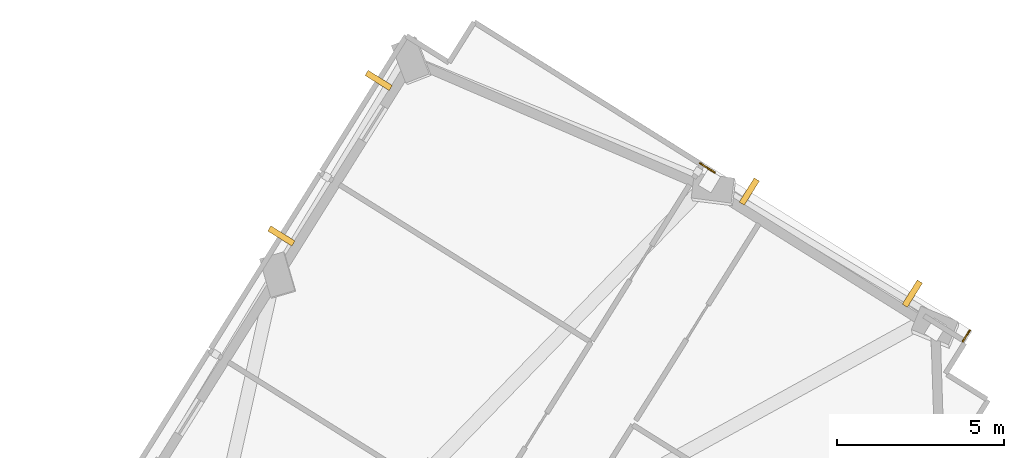
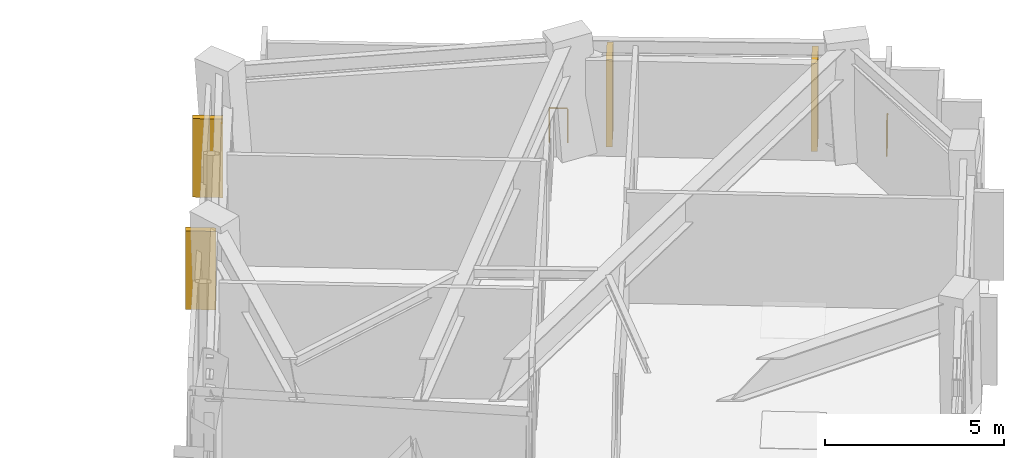
# One storey, part 12 of 12: 4 shading devices, 2 railings.
"""IFC4 building model written with IfcOpenShell, lengths in metres."""

import ifcopenshell
import ifcopenshell.guid

model = None  # the IFC model being written
_history = None  # IfcOwnerHistory: only IFC2X3 demands one
_inside = {}  # id of a spatial element -> (the spatial element, [elements in it])
_under = {}  # id of a project, library or spatial element -> (it, [spatial elements below it])
_declared = {}  # id of a project -> (the project, [libraries it declares])
_typed = {}  # id of a type object -> (the type object, [elements of that type])
_made_of = {}  # id of a material, layer set ... -> (it, [elements and type objects made of it])


def new_model(schema):
    """Start an empty IFC model of exactly this schema.

    Asked for "IFC4X3", IfcOpenShell would pick the latest addendum, in which some entities
    have other attributes; the version numbers below select the first issue.
    IFC2X3 requires an IfcOwnerHistory on every rooted entity: one is made here for all.
    """
    global model, _history
    if schema == "IFC4X3":
        model = ifcopenshell.file(schema_version=(4, 3, 0, 0))
    else:
        model = ifcopenshell.file(schema=schema)
    _inside.clear()
    _under.clear()
    _declared.clear()
    _typed.clear()
    _made_of.clear()
    _history = None
    if model.schema == "IFC2X3":
        org = make("IfcOrganization", Name="unknown")
        user = make(
            "IfcPersonAndOrganization",
            ThePerson=make("IfcPerson", FamilyName="unknown"),
            TheOrganization=org,
        )
        app = make(
            "IfcApplication",
            ApplicationDeveloper=org,
            Version="unknown",
            ApplicationFullName="unknown",
            ApplicationIdentifier="unknown",
        )
        _history = make(
            "IfcOwnerHistory",
            OwningUser=user,
            OwningApplication=app,
            ChangeAction="ADDED",
            CreationDate=0,
        )
    return model


def make(cls, **values):
    """One entity of the class cls with the attributes given. An attribute that is None is left unset."""
    return model.create_entity(
        cls, **{name: value for name, value in values.items() if value is not None}
    )


def rooted(cls, **values):
    """An entity with a GlobalId (a new one), such as an element, a storey or a relation."""
    return make(cls, GlobalId=ifcopenshell.guid.new(), OwnerHistory=_history, **values)


def si_unit(unit_type, name, prefix=None):
    """IfcSIUnit, for example si_unit("LENGTHUNIT", "METRE", prefix="MILLI")."""
    return make("IfcSIUnit", UnitType=unit_type, Prefix=prefix, Name=name)


def assignment(units):
    """IfcUnitAssignment: the units of a project."""
    return None if units is None else make("IfcUnitAssignment", Units=units)


def point(xyz):
    """IfcCartesianPoint."""
    return None if xyz is None else make("IfcCartesianPoint", Coordinates=xyz)


def direction(xyz):
    """IfcDirection."""
    return None if xyz is None else make("IfcDirection", DirectionRatios=xyz)


def frame(location, z_axis=None, x_axis=None):
    """IfcAxis2Placement3D, a coordinate frame: its origin and axes. An axis left out is left unset."""
    return make(
        "IfcAxis2Placement3D",
        Location=point(location),
        Axis=direction(z_axis),
        RefDirection=direction(x_axis),
    )


def frame_2d(location, x_axis=None):
    """IfcAxis2Placement2D, a coordinate frame in the plane: its origin and x axis."""
    return make(
        "IfcAxis2Placement2D", Location=point(location), RefDirection=direction(x_axis)
    )


def origin():
    """The frame at (0, 0, 0) with its axes left unset."""
    return frame((0.0, 0.0, 0.0))


def origin_2d():
    """The frame at (0, 0) in the plane with its x axis left unset."""
    return frame_2d((0.0, 0.0))


def place(relative_to, where):
    """IfcLocalPlacement: puts the frame where relative to a parent placement (None: the world)."""
    return make(
        "IfcLocalPlacement", PlacementRelTo=relative_to, RelativePlacement=where
    )


def context(
    kind, dimensions, precision=None, world=None, true_north=None, identifier=None
):
    """IfcGeometricRepresentationContext, for example the 3D "Model" context."""
    return make(
        "IfcGeometricRepresentationContext",
        ContextIdentifier=identifier,
        ContextType=kind,
        CoordinateSpaceDimension=dimensions,
        Precision=precision,
        WorldCoordinateSystem=world,
        TrueNorth=true_north,
    )


def subcontext(parent, identifier, kind, view, scale=None):
    """IfcGeometricRepresentationSubContext, for example "Body" below "Model"."""
    return make(
        "IfcGeometricRepresentationSubContext",
        ContextIdentifier=identifier,
        ContextType=kind,
        ParentContext=parent,
        TargetScale=scale,
        TargetView=view,
    )


def project(units=None, contexts=None):
    """IfcProject with its units and contexts."""
    return rooted(
        "IfcProject",
        Name="project",
        RepresentationContexts=contexts,
        UnitsInContext=assignment(units),
    )


def spatial(cls, under=None, at=None, **own):
    """A site, building, storey or space (cls), placed at a placement, below another one or the project."""
    s = rooted(cls, ObjectPlacement=at, **own)
    if under is not None:
        _under.setdefault(under.id(), (under, []))[1].append(s)
    return s


def profile(cls, at=None, kind="AREA", **sizes):
    """A parametric profile (cls). Its sizes go by their IFC names, for example OverallWidth=200.0."""
    return make(cls, ProfileType=kind, Position=at, **sizes)


def rectangle(**sizes):
    """IfcRectangleProfileDef."""
    return profile("IfcRectangleProfileDef", **sizes)


def circle(**sizes):
    """IfcCircleProfileDef."""
    return profile("IfcCircleProfileDef", **sizes)


def extrude(swept, where, along, depth):
    """IfcExtrudedAreaSolid: the profile swept, set in the frame where, extruded along a direction by depth."""
    return make(
        "IfcExtrudedAreaSolid",
        SweptArea=swept,
        Position=where,
        ExtrudedDirection=direction(along),
        Depth=depth,
    )


def shape(context_of_items, identifier, shape_type, items):
    """IfcShapeRepresentation: the items that make up one representation, for example the "Body"."""
    return make(
        "IfcShapeRepresentation",
        ContextOfItems=context_of_items,
        RepresentationIdentifier=identifier,
        RepresentationType=shape_type,
        Items=items,
    )


def material(Name=None, Category=None):
    """IfcMaterial."""
    return make("IfcMaterial", Name=Name, Category=Category)


def layer(
    of_material, thickness, ventilated=None, Name=None, Category=None, Priority=None
):
    """IfcMaterialLayer: one layer of a wall or slab, of a material (None: an air gap)."""
    return make(
        "IfcMaterialLayer",
        Material=of_material,
        LayerThickness=thickness,
        IsVentilated=ventilated,
        Name=Name,
        Category=Category,
        Priority=Priority,
    )


def layer_set(layers, Name=None):
    """IfcMaterialLayerSet."""
    return make("IfcMaterialLayerSet", MaterialLayers=layers, LayerSetName=Name)


def made_of(thing, what):
    """Note that an element or type object is made of a material, layer set ...; save() writes the relation."""
    if what is not None:
        _made_of.setdefault(what.id(), (what, []))[1].append(thing)
    return thing


def type_object(cls, material=None, **own):
    """A type object (cls), such as IfcWallType, which elements share."""
    return made_of(rooted(cls, **own), material)


def element(
    cls,
    number,
    at=None,
    inside=None,
    cuts=None,
    type_object=None,
    material=None,
    context=None,
    identifier="Body",
    shape_type=None,
    held_by="IfcProductDefinitionShape",
    body=None,
    shapes=None,
    **own,
):
    """One element of the class cls, such as IfcWall. Its Tag is "e" and its number.

    at: its placement. inside: the storey or other place that contains it. cuts: it is an
    opening in that element (IfcRelVoidsElement). A single representation is given by context,
    identifier, shape_type and body (its items); several are given by shapes. held_by: the class
    of the entity that holds the representations. save() writes the other relations.
    """
    e = rooted(cls, Tag="e%d" % number, ObjectPlacement=at, **own)
    if body is not None:
        shapes = [shape(context, identifier, shape_type, body)]
    if shapes is not None:
        e.Representation = make(held_by, Representations=shapes)
    if inside is not None:
        _inside.setdefault(inside.id(), (inside, []))[1].append(e)
    if cuts is not None:
        rooted(
            "IfcRelVoidsElement", RelatingBuildingElement=cuts, RelatedOpeningElement=e
        )
    if type_object is not None:
        _typed.setdefault(type_object.id(), (type_object, []))[1].append(e)
    return made_of(e, material)


def aggregate(whole, parts):
    """IfcRelAggregates: a whole, such as a stair, and the parts it consists of."""
    return rooted("IfcRelAggregates", RelatingObject=whole, RelatedObjects=parts)


def save(model, path):
    """Write the relations noted so far, then the file.

    IfcRelAggregates (storeys below a building ...), IfcRelContainedInSpatialStructure (elements
    in a storey), IfcRelDefinesByType, IfcRelAssociatesMaterial and IfcRelDeclares: one each for
    every whole, place, type object, material and project.
    """
    for whole, parts in _under.values():
        aggregate(whole, parts)
    for where, things in _inside.values():
        rooted(
            "IfcRelContainedInSpatialStructure",
            RelatedElements=things,
            RelatingStructure=where,
        )
    for kind, things in _typed.values():
        rooted("IfcRelDefinesByType", RelatedObjects=things, RelatingType=kind)
    for what, things in _made_of.values():
        rooted("IfcRelAssociatesMaterial", RelatedObjects=things, RelatingMaterial=what)
    for by, libraries in _declared.values():
        rooted("IfcRelDeclares", RelatingContext=by, RelatedDefinitions=libraries)
    model.write(path)


model = new_model("IFC4")

# Units and contexts
model_context = context("Model", 3, precision=1e-05, world=origin(), true_north=direction((0.0, 1.0)))
body_context = subcontext(model_context, "Body", "Model", "MODEL_VIEW")
ifc_project = project(units=[si_unit("LENGTHUNIT", "METRE"), si_unit("AREAUNIT", "SQUARE_METRE"), si_unit("VOLUMEUNIT", "CUBIC_METRE"), si_unit("PLANEANGLEUNIT", "RADIAN"), si_unit("MASSUNIT", "GRAM", prefix="KILO")], contexts=[model_context])

# Site, building, storey
site_placement = place(None, origin())
site = spatial("IfcSite", under=ifc_project, at=site_placement, CompositionType="ELEMENT")
building_placement = place(site_placement, origin())
building = spatial("IfcBuilding", under=site, at=building_placement, Name="Gaonmaruhae Medical Tower", CompositionType="ELEMENT")
storey_placement = place(building_placement, frame((0.0, 0.0, 272.60009765625)))
storey = spatial("IfcBuildingStorey", under=building, at=storey_placement, Name="L65", CompositionType="ELEMENT", Elevation=272.60009765625)

# Railings
ifc_material_1 = material(Name="Stainless steel 316L and laminated safety glass", Category="steel")
ifc_layer = layer(ifc_material_1, 0.080078125)
ifc_layer_set = layer_set([ifc_layer], Name="Stainless steel 316L and laminated safety glass")
railing_type = type_object("IfcRailingType", Name="GD-120 Outdoor Terrace Safety Glass & Steel Balustrade", PredefinedType="BALUSTRADE", material=ifc_layer_set)
railing_1_placement = place(storey_placement, frame((51.3828125, 33.876953125, 0.0)))
element("IfcRailing", 1, at=railing_1_placement, inside=storey, type_object=railing_type, Name="L65 Perimeter Slab Edge Safety Balustrade 02", PredefinedType="BALUSTRADE", context=body_context, shape_type="SweptSolid", body=[
    extrude(circle(Radius=0.02392578125, at=origin_2d()), frame((0.0, 0.0, 1.17578125), z_axis=(0.847334645109, -0.531059317965, 0.0), x_axis=(0.531059317965, 0.847334645109, 0.0)), (0.0, 0.0, 1.0), 0.51708984375),
    extrude(circle(Radius=0.02099609375, at=origin_2d()), origin(), (0.0, 0.0, 1.0), 1.15185546875),
    extrude(circle(Radius=0.02099609375, at=origin_2d()), frame((0.438232421875, -0.274658203125, 0.0)), (0.0, 0.0, 1.0), 1.15185546875),
])
railing_2_placement = place(storey_placement, frame((59.439697265625, 28.8916015625, 0.0)))
element("IfcRailing", 2, at=railing_2_placement, inside=storey, type_object=railing_type, Name="L65 Perimeter Slab Edge Safety Balustrade 03", PredefinedType="BALUSTRADE", context=body_context, shape_type="SweptSolid", body=[
    extrude(circle(Radius=0.02392578125, at=origin_2d()), frame((0.0, 0.0, 1.17578125), z_axis=(-0.531002248333, -0.847370410308, 0.0), x_axis=(0.847370410308, -0.531002248333, 0.0)), (0.0, 0.0, 1.0), 0.3935546875),
    extrude(circle(Radius=0.02099609375, at=origin_2d()), origin(), (0.0, 0.0, 1.0), 1.15185546875),
    extrude(circle(Radius=0.02099609375, at=origin_2d()), frame((-0.208984375, -0.33349609375, 0.0)), (0.0, 0.0, 1.0), 1.15185546875),
])

# Shading devices
ifc_material_2 = material(Name="Pigmented coral precast concrete C45/55", Category="concrete")
shading_device_type = type_object("IfcShadingDeviceType", Name="SD-FIN1 Tower Vertical Coral Precast Shading Fin", PredefinedType="USERDEFINED", material=ifc_material_2)
for number, where, z_axis, x_axis, name in (
    (3, (52.851806640625, 33.03369140625, 0.13232421875), (0.0, 0.0, 1.0), (0.847585331506, -0.530659123936, 0.0), "L65 Vertical Coral Precast Shading Fin E01"),
    (4, (57.722412109375, 29.984375, 0.13232421875), (0.0, 0.0, 1.0), (0.847585331506, -0.530659123936, 0.0), "L65 Vertical Coral Precast Shading Fin E01B"),
):
    element("IfcShadingDevice", number, at=place(storey_placement, frame(where, z_axis=z_axis, x_axis=x_axis)), inside=storey, type_object=shading_device_type, Name=name, ObjectType="FIN", PredefinedType="USERDEFINED", context=body_context, shape_type="SweptSolid", body=[
        extrude(rectangle(XDim=0.179931640625, YDim=0.85009765625, at=origin_2d()), origin(), (0.0, 0.0, 1.0), 3.0),
    ])
for number, where, z_axis, x_axis, name in (
    (5, (38.874267578125, 31.70703125, 0.039794921875), (0.0, 0.0, 1.0), (0.530659123936, 0.847585331506, 0.0), "L65 Vertical Coral Precast Shading Fin E03"),
    (6, (41.781982421875, 36.351806640625, 0.039794921875), (0.0, 0.0, 1.0), (0.530659123936, 0.847585331506, 0.0), "L65 Vertical Coral Precast Shading Fin E03B"),
):
    element("IfcShadingDevice", number, at=place(storey_placement, frame(where, z_axis=z_axis, x_axis=x_axis)), inside=storey, type_object=shading_device_type, Name=name, ObjectType="FIN", PredefinedType="USERDEFINED", context=body_context, shape_type="SweptSolid", body=[
        extrude(rectangle(XDim=0.179931640625, YDim=0.85009765625, at=origin_2d()), origin(), (0.0, 0.0, 1.0), 2.68505859375),
    ])

save(model, "model.ifc")
